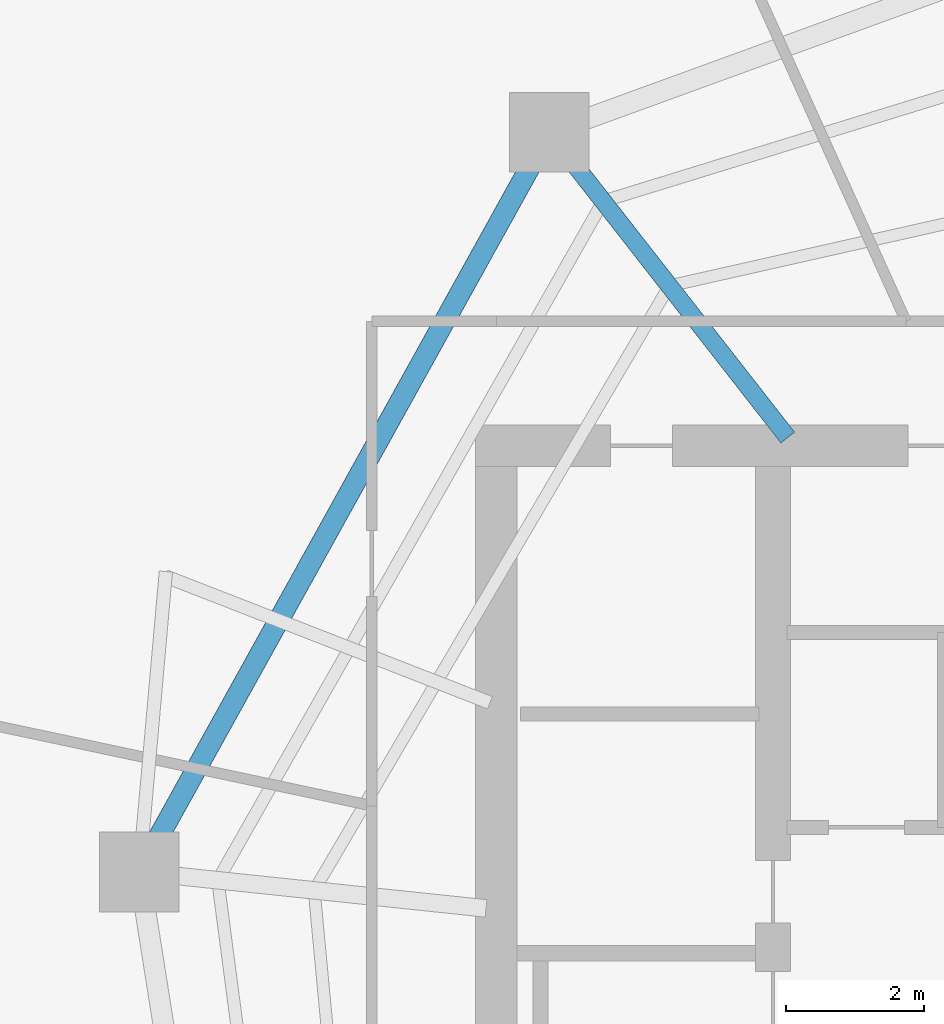
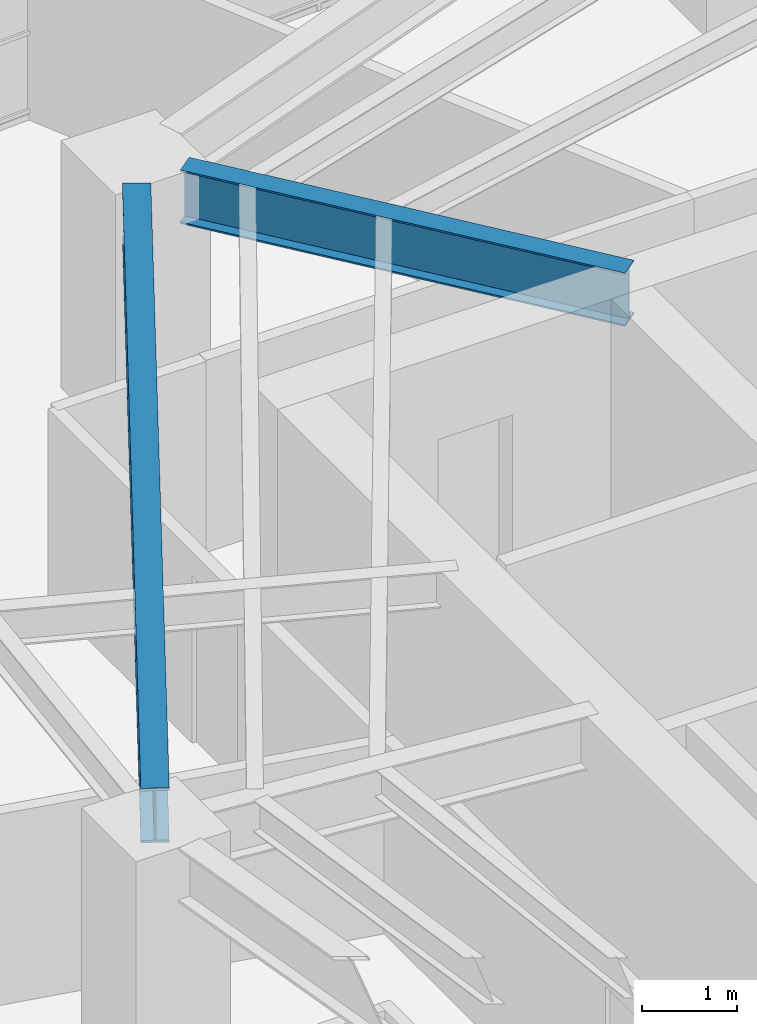
# One storey, part 16 of 30: 2 beams.
"""IFC4 building model written with IfcOpenShell, lengths in metres."""

from ifc_helpers import new_model, si_unit, direction, frame, origin, origin_2d, place, context, subcontext, project, spatial, i_section, extrude, material, material_profile, profile_set, type_object, element, save


model = new_model("IFC4")

# Units and contexts
model_context = context("Model", 3, precision=1e-05, world=origin(), true_north=direction((0.0, 1.0)))
body_context = subcontext(model_context, "Body", "Model", "MODEL_VIEW")
ifc_project = project(units=[si_unit("LENGTHUNIT", "METRE"), si_unit("AREAUNIT", "SQUARE_METRE"), si_unit("VOLUMEUNIT", "CUBIC_METRE"), si_unit("PLANEANGLEUNIT", "RADIAN"), si_unit("MASSUNIT", "GRAM", prefix="KILO")], contexts=[model_context])

# Site, building, storey
site_placement = place(None, origin())
site = spatial("IfcSite", under=ifc_project, at=site_placement, CompositionType="ELEMENT")
building_placement = place(site_placement, origin())
building = spatial("IfcBuilding", under=site, at=building_placement, Name="Qarnah Convention Tower", CompositionType="ELEMENT")
storey_placement = place(building_placement, frame((0.0, 0.0, 79.800048828125)))
storey = spatial("IfcBuildingStorey", under=building, at=storey_placement, Name="L20", CompositionType="ELEMENT", Elevation=79.800048828125)

# Beams
ifc_material = material(Name="Structural steel S355JR", Category="steel")
ifc_material_profile_1 = material_profile(ifc_material, i_section(OverallWidth=0.25390625, OverallDepth=0.68798828125, WebThickness=0.012939453125, FlangeThickness=0.02099609375, at=origin_2d()), Name="W690X152")
ifc_profile_set_1 = profile_set([ifc_material_profile_1], Name="Structural steel S355JR")
beam_type_1 = type_object("IfcBeamType", Name="BM-RAD-W690", PredefinedType="BEAM", material=ifc_profile_set_1)
beam_1_placement = place(storey_placement, frame((31.013916015625, 34.318115234375, 2.825927734375), z_axis=(-0.61565061353, 0.788019239651, 0.0), x_axis=(-0.788019239651, -0.61565061353, 0.0)))
element("IfcBeam", 1, at=beam_1_placement, inside=storey, type_object=beam_type_1, Name="L20 beam BM-L20-RAD-04", PredefinedType="BEAM", context=body_context, shape_type="SweptSolid", body=[
    extrude(i_section(OverallWidth=0.25390625, OverallDepth=0.68798828125, WebThickness=0.012939453125, FlangeThickness=0.02099609375, at=origin_2d()), origin(), (0.0, 0.0, 1.0), 5.046630859375),
])
ifc_material_profile_2 = material_profile(ifc_material, i_section(OverallWidth=0.300048828125, OverallDepth=0.699951171875, WebThickness=0.01708984375, FlangeThickness=0.031982421875, at=origin_2d()), Name="HEB700")
ifc_profile_set_2 = profile_set([ifc_material_profile_2], Name="Structural steel S355JR")
beam_type_2 = type_object("IfcBeamType", Name="BM-RING-HEB700", PredefinedType="BEAM", material=ifc_profile_set_2)
beam_2_placement = place(storey_placement, frame((27.291015625, 38.238037109375, 2.820068359375), z_axis=(-0.484800448222, -0.874624791212, 0.0), x_axis=(0.874624791212, -0.484800448222, 0.0)))
element("IfcBeam", 2, at=beam_2_placement, inside=storey, type_object=beam_type_2, Name="L20 beam BM-L20-SPN-04", PredefinedType="BEAM", context=body_context, shape_type="SweptSolid", body=[
    extrude(i_section(OverallWidth=0.300048828125, OverallDepth=0.699951171875, WebThickness=0.01708984375, FlangeThickness=0.031982421875, at=origin_2d()), origin(), (0.0, 0.0, 1.0), 11.099609375),
])

save(model, "model.ifc")
